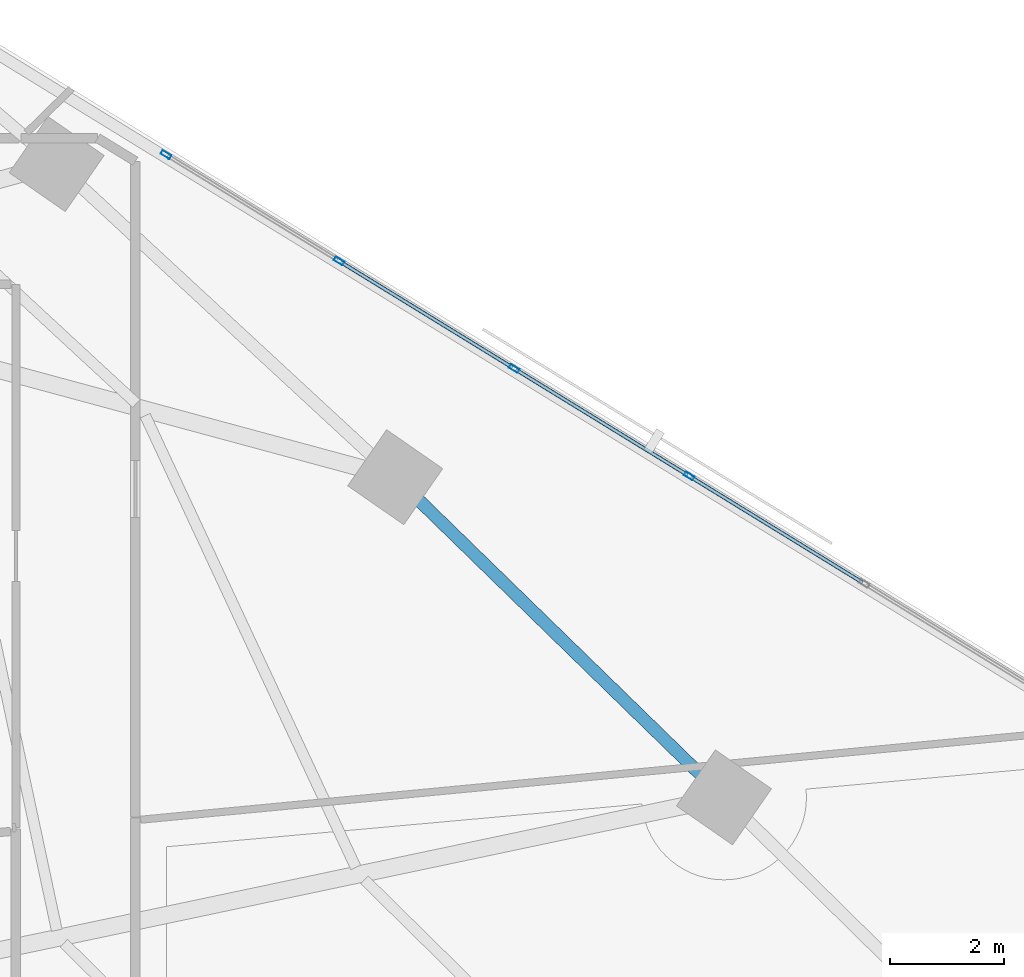
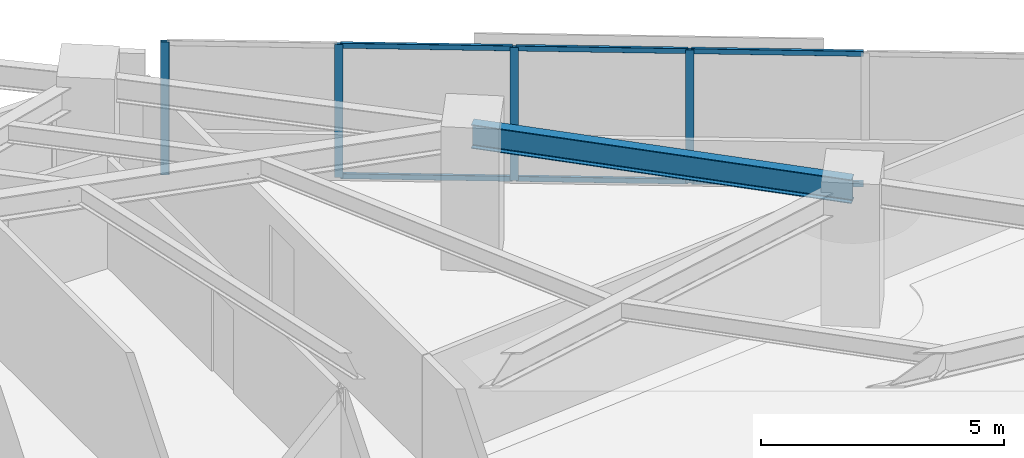
# One storey, part 6 of 18: 10 members, 1 beam, 1 element without a shape of its own.
"""IFC4 building model written with IfcOpenShell, lengths in metres."""

from ifc_helpers import new_model, si_unit, direction, frame, origin, origin_2d, place, context, subcontext, project, spatial, hollow_rectangle, i_section, extrude, material, material_profile, profile_set, type_object, element, aggregate, save


model = new_model("IFC4")

# Units and contexts
model_context = context("Model", 3, precision=1e-05, world=origin(), true_north=direction((0.0, 1.0)))
body_context = subcontext(model_context, "Body", "Model", "MODEL_VIEW")
ifc_project = project(units=[si_unit("LENGTHUNIT", "METRE"), si_unit("AREAUNIT", "SQUARE_METRE"), si_unit("VOLUMEUNIT", "CUBIC_METRE"), si_unit("PLANEANGLEUNIT", "RADIAN"), si_unit("MASSUNIT", "GRAM", prefix="KILO")], contexts=[model_context])

# Site, building, storey
site_placement = place(None, origin())
site = spatial("IfcSite", under=ifc_project, at=site_placement, CompositionType="ELEMENT")
building_placement = place(site_placement, origin())
building = spatial("IfcBuilding", under=site, at=building_placement, Name="Narakoshi Arena Tower", CompositionType="ELEMENT")
storey_placement = place(building_placement, frame((0.0, 0.0, 102.89990234375)))
storey = spatial("IfcBuildingStorey", under=building, at=storey_placement, Name="L27", CompositionType="ELEMENT", Elevation=102.89990234375)

# Beam
ifc_material_1 = material(Name="Structural steel S355J2", Category="steel")
ifc_material_profile_1 = material_profile(ifc_material_1, i_section(OverallWidth=0.219970703125, OverallDepth=0.60009765625, WebThickness=0.011962890625, FlangeThickness=0.01904296875, FilletRadius=0.02392578125, at=origin_2d()), Name="IPE600")
ifc_profile_set_1 = profile_set([ifc_material_profile_1], Name="Structural steel S355J2")
beam_type = type_object("IfcBeamType", Name="BM-EDGE-600", PredefinedType="BEAM", material=ifc_profile_set_1)
beam_placement = place(storey_placement, frame((104.42041015625, 47.33056640625, 3.0400390625), z_axis=(-0.71641187053, 0.697677598726, 0.0), x_axis=(-0.697677598726, -0.71641187053, 0.0)))
element("IfcBeam", 1, at=beam_placement, inside=storey, type_object=beam_type, Name="L27 Perimeter Edge Girder 05", PredefinedType="BEAM", context=body_context, shape_type="SweptSolid", body=[
    extrude(i_section(OverallWidth=0.219970703125, OverallDepth=0.60009765625, WebThickness=0.011962890625, FlangeThickness=0.01904296875, FilletRadius=0.02392578125, at=origin_2d()), origin(), (0.0, 0.0, 1.0), 8.066650390625),
])

# Curtain wall, members
ifc_material_2 = material(Name="Anodised bronze aluminium 6063-T6", Category="aluminium")
curtain_wall_type = type_object("IfcCurtainWallType", Name="CW-HYP-LOW", PredefinedType="NOTDEFINED", material=ifc_material_2)
curtain_wall_placement = place(storey_placement, origin())
curtain_wall = element("IfcCurtainWall", 2, at=curtain_wall_placement, inside=storey, type_object=curtain_wall_type, Name="L27 Folded Hypotenuse Curtain Wall 1-1", PredefinedType="NOTDEFINED")
ifc_material_profile_2 = material_profile(ifc_material_2, hollow_rectangle(XDim=0.074951171875, YDim=0.179931640625, WallThickness=0.00390625, OuterFilletRadius=0.0048828125, at=origin_2d()), Name="MUL180x75x4")
ifc_profile_set_2 = profile_set([ifc_material_profile_2], Name="Anodised bronze aluminium 6063-T6")
member_type_1 = type_object("IfcMemberType", Name="MEM-MUL-180", PredefinedType="MULLION", material=ifc_profile_set_2)
member_1_placement = place(storey_placement, frame((103.81005859375, 52.97802734375, 0.0), z_axis=(0.0, 0.0, 1.0), x_axis=(-0.523357676535, -0.852113104237, 0.0)))
member_1 = element("IfcMember", 3, at=member_1_placement, type_object=member_type_1, Name="CW-01 mullion 6", PredefinedType="MULLION", context=body_context, shape_type="SweptSolid", body=[
    extrude(hollow_rectangle(XDim=0.074951171875, YDim=0.179931640625, WallThickness=0.00390625, OuterFilletRadius=0.0048828125, at=origin_2d()), origin(), (0.0, 0.0, 1.0), 3.340087890625),
])
member_2_placement = place(storey_placement, frame((100.733154296875, 54.86767578125, 0.0), z_axis=(0.0, 0.0, 1.0), x_axis=(-0.523357676535, -0.852113104237, 0.0)))
member_2 = element("IfcMember", 4, at=member_2_placement, type_object=member_type_1, Name="CW-01 mullion 7", PredefinedType="MULLION", context=body_context, shape_type="SweptSolid", body=[
    extrude(hollow_rectangle(XDim=0.074951171875, YDim=0.179931640625, WallThickness=0.00390625, OuterFilletRadius=0.0048828125, at=origin_2d()), origin(), (0.0, 0.0, 1.0), 3.340087890625),
])
member_3_placement = place(storey_placement, frame((97.65625, 56.757568359375, 0.0), z_axis=(0.0, 0.0, 1.0), x_axis=(-0.523357676535, -0.852113104237, 0.0)))
member_3 = element("IfcMember", 5, at=member_3_placement, type_object=member_type_1, Name="CW-01 mullion 8", PredefinedType="MULLION", context=body_context, shape_type="SweptSolid", body=[
    extrude(hollow_rectangle(XDim=0.074951171875, YDim=0.179931640625, WallThickness=0.00390625, OuterFilletRadius=0.0048828125, at=origin_2d()), origin(), (0.0, 0.0, 1.0), 3.340087890625),
])
member_4_placement = place(storey_placement, frame((94.611328125, 58.627685546875, 0.0), z_axis=(0.0, 0.0, 1.0), x_axis=(-0.523357676535, -0.852113104237, 0.0)))
member_4 = element("IfcMember", 6, at=member_4_placement, type_object=member_type_1, Name="CW-01 mullion 9", PredefinedType="MULLION", context=body_context, shape_type="SweptSolid", body=[
    extrude(hollow_rectangle(XDim=0.074951171875, YDim=0.179931640625, WallThickness=0.00390625, OuterFilletRadius=0.0048828125, at=origin_2d()), origin(), (0.0, 0.0, 1.0), 3.340087890625),
])
ifc_material_profile_3 = material_profile(ifc_material_2, hollow_rectangle(XDim=0.06494140625, YDim=0.1298828125, WallThickness=0.00390625, OuterFilletRadius=0.0048828125, at=origin_2d()), Name="TRN130x65x4")
ifc_profile_set_3 = profile_set([ifc_material_profile_3], Name="Anodised bronze aluminium 6063-T6")
member_type_2 = type_object("IfcMemberType", Name="MEM-TRN-130", PredefinedType="USERDEFINED", material=ifc_profile_set_3)
member_5_placement = place(storey_placement, frame((106.85498046875, 51.107666015625, 0.03271484375), z_axis=(-0.852103699909, 0.523372988032, 0.0), x_axis=(-0.523372988032, -0.852103699909, 0.0)))
member_5 = element("IfcMember", 7, at=member_5_placement, type_object=member_type_2, Name="CW-01 transom 5.1", ObjectType="TRANSOM", PredefinedType="USERDEFINED", context=body_context, shape_type="SweptSolid", body=[
    extrude(hollow_rectangle(XDim=0.06494140625, YDim=0.1298828125, WallThickness=0.00390625, OuterFilletRadius=0.0048828125, at=origin_2d()), origin(), (0.0, 0.0, 1.0), 3.535888671875),
])
member_6_placement = place(storey_placement, frame((106.85498046875, 51.107666015625, 3.3076171875), z_axis=(-0.852103699909, 0.523372988032, 0.0), x_axis=(-0.523372988032, -0.852103699909, 0.0)))
member_6 = element("IfcMember", 8, at=member_6_placement, type_object=member_type_2, Name="CW-01 transom 5.2", ObjectType="TRANSOM", PredefinedType="USERDEFINED", context=body_context, shape_type="SweptSolid", body=[
    extrude(hollow_rectangle(XDim=0.06494140625, YDim=0.1298828125, WallThickness=0.00390625, OuterFilletRadius=0.0048828125, at=origin_2d()), origin(), (0.0, 0.0, 1.0), 3.535888671875),
])
member_7_placement = place(storey_placement, frame((103.778076171875, 52.99755859375, 0.03271484375), z_axis=(-0.852103699909, 0.523372988032, 0.0), x_axis=(-0.523372988032, -0.852103699909, 0.0)))
member_7 = element("IfcMember", 9, at=member_7_placement, type_object=member_type_2, Name="CW-01 transom 6.1", ObjectType="TRANSOM", PredefinedType="USERDEFINED", context=body_context, shape_type="SweptSolid", body=[
    extrude(hollow_rectangle(XDim=0.06494140625, YDim=0.1298828125, WallThickness=0.00390625, OuterFilletRadius=0.0048828125, at=origin_2d()), origin(), (0.0, 0.0, 1.0), 3.535888671875),
])
member_8_placement = place(storey_placement, frame((103.778076171875, 52.99755859375, 3.3076171875), z_axis=(-0.852103699909, 0.523372988032, 0.0), x_axis=(-0.523372988032, -0.852103699909, 0.0)))
member_8 = element("IfcMember", 10, at=member_8_placement, type_object=member_type_2, Name="CW-01 transom 6.2", ObjectType="TRANSOM", PredefinedType="USERDEFINED", context=body_context, shape_type="SweptSolid", body=[
    extrude(hollow_rectangle(XDim=0.06494140625, YDim=0.1298828125, WallThickness=0.00390625, OuterFilletRadius=0.0048828125, at=origin_2d()), origin(), (0.0, 0.0, 1.0), 3.535888671875),
])
member_9_placement = place(storey_placement, frame((100.701171875, 54.887451171875, 0.03271484375), z_axis=(-0.852134492111, 0.523322851933, 0.0), x_axis=(-0.523322851933, -0.852134492111, 0.0)))
member_9 = element("IfcMember", 11, at=member_9_placement, type_object=member_type_2, Name="CW-01 transom 7.1", ObjectType="TRANSOM", PredefinedType="USERDEFINED", context=body_context, shape_type="SweptSolid", body=[
    extrude(hollow_rectangle(XDim=0.06494140625, YDim=0.1298828125, WallThickness=0.00390625, OuterFilletRadius=0.0048828125, at=origin_2d()), origin(), (0.0, 0.0, 1.0), 3.53564453125),
])
member_10_placement = place(storey_placement, frame((100.701171875, 54.887451171875, 3.3076171875), z_axis=(-0.852134492111, 0.523322851933, 0.0), x_axis=(-0.523322851933, -0.852134492111, 0.0)))
member_10 = element("IfcMember", 12, at=member_10_placement, type_object=member_type_2, Name="CW-01 transom 7.2", ObjectType="TRANSOM", PredefinedType="USERDEFINED", context=body_context, shape_type="SweptSolid", body=[
    extrude(hollow_rectangle(XDim=0.06494140625, YDim=0.1298828125, WallThickness=0.00390625, OuterFilletRadius=0.0048828125, at=origin_2d()), origin(), (0.0, 0.0, 1.0), 3.53564453125),
])
aggregate(curtain_wall, [member_1, member_2, member_3, member_4, member_5, member_6, member_7, member_8, member_9, member_10])

save(model, "model.ifc")
